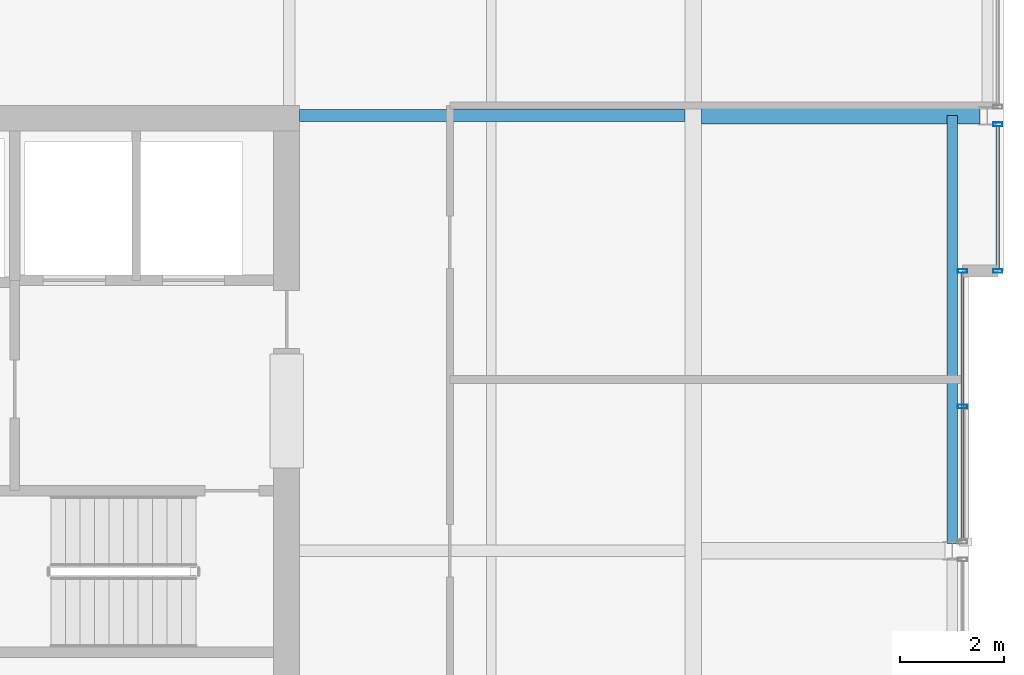
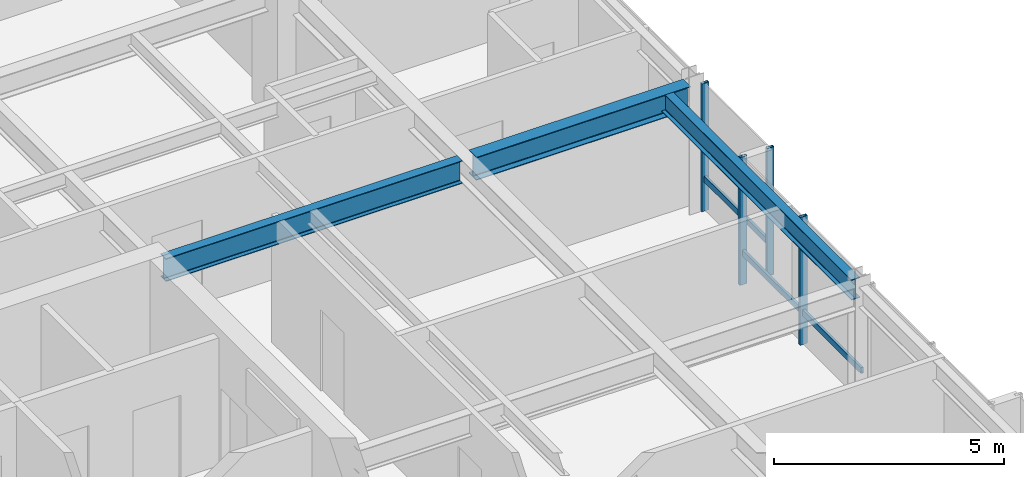
# One storey, part 19 of 34: 6 members, 3 beams, 2 elements without a shape of their own.
"""IFC4 building model written with IfcOpenShell, lengths in metres."""

import ifcopenshell
import ifcopenshell.guid

model = None  # the IFC model being written
_history = None  # IfcOwnerHistory: only IFC2X3 demands one
_inside = {}  # id of a spatial element -> (the spatial element, [elements in it])
_under = {}  # id of a project, library or spatial element -> (it, [spatial elements below it])
_declared = {}  # id of a project -> (the project, [libraries it declares])
_typed = {}  # id of a type object -> (the type object, [elements of that type])
_made_of = {}  # id of a material, layer set ... -> (it, [elements and type objects made of it])


def new_model(schema):
    """Start an empty IFC model of exactly this schema.

    Asked for "IFC4X3", IfcOpenShell would pick the latest addendum, in which some entities
    have other attributes; the version numbers below select the first issue.
    IFC2X3 requires an IfcOwnerHistory on every rooted entity: one is made here for all.
    """
    global model, _history
    if schema == "IFC4X3":
        model = ifcopenshell.file(schema_version=(4, 3, 0, 0))
    else:
        model = ifcopenshell.file(schema=schema)
    _inside.clear()
    _under.clear()
    _declared.clear()
    _typed.clear()
    _made_of.clear()
    _history = None
    if model.schema == "IFC2X3":
        org = make("IfcOrganization", Name="unknown")
        user = make(
            "IfcPersonAndOrganization",
            ThePerson=make("IfcPerson", FamilyName="unknown"),
            TheOrganization=org,
        )
        app = make(
            "IfcApplication",
            ApplicationDeveloper=org,
            Version="unknown",
            ApplicationFullName="unknown",
            ApplicationIdentifier="unknown",
        )
        _history = make(
            "IfcOwnerHistory",
            OwningUser=user,
            OwningApplication=app,
            ChangeAction="ADDED",
            CreationDate=0,
        )
    return model


def make(cls, **values):
    """One entity of the class cls with the attributes given. An attribute that is None is left unset."""
    return model.create_entity(
        cls, **{name: value for name, value in values.items() if value is not None}
    )


def rooted(cls, **values):
    """An entity with a GlobalId (a new one), such as an element, a storey or a relation."""
    return make(cls, GlobalId=ifcopenshell.guid.new(), OwnerHistory=_history, **values)


def si_unit(unit_type, name, prefix=None):
    """IfcSIUnit, for example si_unit("LENGTHUNIT", "METRE", prefix="MILLI")."""
    return make("IfcSIUnit", UnitType=unit_type, Prefix=prefix, Name=name)


def assignment(units):
    """IfcUnitAssignment: the units of a project."""
    return None if units is None else make("IfcUnitAssignment", Units=units)


def point(xyz):
    """IfcCartesianPoint."""
    return None if xyz is None else make("IfcCartesianPoint", Coordinates=xyz)


def direction(xyz):
    """IfcDirection."""
    return None if xyz is None else make("IfcDirection", DirectionRatios=xyz)


def frame(location, z_axis=None, x_axis=None):
    """IfcAxis2Placement3D, a coordinate frame: its origin and axes. An axis left out is left unset."""
    return make(
        "IfcAxis2Placement3D",
        Location=point(location),
        Axis=direction(z_axis),
        RefDirection=direction(x_axis),
    )


def frame_2d(location, x_axis=None):
    """IfcAxis2Placement2D, a coordinate frame in the plane: its origin and x axis."""
    return make(
        "IfcAxis2Placement2D", Location=point(location), RefDirection=direction(x_axis)
    )


def origin():
    """The frame at (0, 0, 0) with its axes left unset."""
    return frame((0.0, 0.0, 0.0))


def origin_2d():
    """The frame at (0, 0) in the plane with its x axis left unset."""
    return frame_2d((0.0, 0.0))


def place(relative_to, where):
    """IfcLocalPlacement: puts the frame where relative to a parent placement (None: the world)."""
    return make(
        "IfcLocalPlacement", PlacementRelTo=relative_to, RelativePlacement=where
    )


def context(
    kind, dimensions, precision=None, world=None, true_north=None, identifier=None
):
    """IfcGeometricRepresentationContext, for example the 3D "Model" context."""
    return make(
        "IfcGeometricRepresentationContext",
        ContextIdentifier=identifier,
        ContextType=kind,
        CoordinateSpaceDimension=dimensions,
        Precision=precision,
        WorldCoordinateSystem=world,
        TrueNorth=true_north,
    )


def subcontext(parent, identifier, kind, view, scale=None):
    """IfcGeometricRepresentationSubContext, for example "Body" below "Model"."""
    return make(
        "IfcGeometricRepresentationSubContext",
        ContextIdentifier=identifier,
        ContextType=kind,
        ParentContext=parent,
        TargetScale=scale,
        TargetView=view,
    )


def project(units=None, contexts=None):
    """IfcProject with its units and contexts."""
    return rooted(
        "IfcProject",
        Name="project",
        RepresentationContexts=contexts,
        UnitsInContext=assignment(units),
    )


def spatial(cls, under=None, at=None, **own):
    """A site, building, storey or space (cls), placed at a placement, below another one or the project."""
    s = rooted(cls, ObjectPlacement=at, **own)
    if under is not None:
        _under.setdefault(under.id(), (under, []))[1].append(s)
    return s


def profile(cls, at=None, kind="AREA", **sizes):
    """A parametric profile (cls). Its sizes go by their IFC names, for example OverallWidth=200.0."""
    return make(cls, ProfileType=kind, Position=at, **sizes)


def hollow_rectangle(**sizes):
    """IfcRectangleHollowProfileDef."""
    return profile("IfcRectangleHollowProfileDef", **sizes)


def i_section(**sizes):
    """IfcIShapeProfileDef."""
    return profile("IfcIShapeProfileDef", **sizes)


def extrude(swept, where, along, depth):
    """IfcExtrudedAreaSolid: the profile swept, set in the frame where, extruded along a direction by depth."""
    return make(
        "IfcExtrudedAreaSolid",
        SweptArea=swept,
        Position=where,
        ExtrudedDirection=direction(along),
        Depth=depth,
    )


def shape(context_of_items, identifier, shape_type, items):
    """IfcShapeRepresentation: the items that make up one representation, for example the "Body"."""
    return make(
        "IfcShapeRepresentation",
        ContextOfItems=context_of_items,
        RepresentationIdentifier=identifier,
        RepresentationType=shape_type,
        Items=items,
    )


def material(Name=None, Category=None):
    """IfcMaterial."""
    return make("IfcMaterial", Name=Name, Category=Category)


def layer(
    of_material, thickness, ventilated=None, Name=None, Category=None, Priority=None
):
    """IfcMaterialLayer: one layer of a wall or slab, of a material (None: an air gap)."""
    return make(
        "IfcMaterialLayer",
        Material=of_material,
        LayerThickness=thickness,
        IsVentilated=ventilated,
        Name=Name,
        Category=Category,
        Priority=Priority,
    )


def layer_set(layers, Name=None):
    """IfcMaterialLayerSet."""
    return make("IfcMaterialLayerSet", MaterialLayers=layers, LayerSetName=Name)


def material_profile(
    of_material, cross_section, Name=None, Category=None, Priority=None
):
    """IfcMaterialProfile: a cross section and its material."""
    return make(
        "IfcMaterialProfile",
        Name=Name,
        Material=of_material,
        Profile=cross_section,
        Priority=Priority,
        Category=Category,
    )


def profile_set(profiles, Name=None, composite=None):
    """IfcMaterialProfileSet."""
    return make(
        "IfcMaterialProfileSet",
        Name=Name,
        MaterialProfiles=profiles,
        CompositeProfile=composite,
    )


def made_of(thing, what):
    """Note that an element or type object is made of a material, layer set ...; save() writes the relation."""
    if what is not None:
        _made_of.setdefault(what.id(), (what, []))[1].append(thing)
    return thing


def type_object(cls, material=None, **own):
    """A type object (cls), such as IfcWallType, which elements share."""
    return made_of(rooted(cls, **own), material)


def element(
    cls,
    number,
    at=None,
    inside=None,
    cuts=None,
    type_object=None,
    material=None,
    context=None,
    identifier="Body",
    shape_type=None,
    held_by="IfcProductDefinitionShape",
    body=None,
    shapes=None,
    **own,
):
    """One element of the class cls, such as IfcWall. Its Tag is "e" and its number.

    at: its placement. inside: the storey or other place that contains it. cuts: it is an
    opening in that element (IfcRelVoidsElement). A single representation is given by context,
    identifier, shape_type and body (its items); several are given by shapes. held_by: the class
    of the entity that holds the representations. save() writes the other relations.
    """
    e = rooted(cls, Tag="e%d" % number, ObjectPlacement=at, **own)
    if body is not None:
        shapes = [shape(context, identifier, shape_type, body)]
    if shapes is not None:
        e.Representation = make(held_by, Representations=shapes)
    if inside is not None:
        _inside.setdefault(inside.id(), (inside, []))[1].append(e)
    if cuts is not None:
        rooted(
            "IfcRelVoidsElement", RelatingBuildingElement=cuts, RelatedOpeningElement=e
        )
    if type_object is not None:
        _typed.setdefault(type_object.id(), (type_object, []))[1].append(e)
    return made_of(e, material)


def aggregate(whole, parts):
    """IfcRelAggregates: a whole, such as a stair, and the parts it consists of."""
    return rooted("IfcRelAggregates", RelatingObject=whole, RelatedObjects=parts)


def save(model, path):
    """Write the relations noted so far, then the file.

    IfcRelAggregates (storeys below a building ...), IfcRelContainedInSpatialStructure (elements
    in a storey), IfcRelDefinesByType, IfcRelAssociatesMaterial and IfcRelDeclares: one each for
    every whole, place, type object, material and project.
    """
    for whole, parts in _under.values():
        aggregate(whole, parts)
    for where, things in _inside.values():
        rooted(
            "IfcRelContainedInSpatialStructure",
            RelatedElements=things,
            RelatingStructure=where,
        )
    for kind, things in _typed.values():
        rooted("IfcRelDefinesByType", RelatedObjects=things, RelatingType=kind)
    for what, things in _made_of.values():
        rooted("IfcRelAssociatesMaterial", RelatedObjects=things, RelatingMaterial=what)
    for by, libraries in _declared.values():
        rooted("IfcRelDeclares", RelatingContext=by, RelatedDefinitions=libraries)
    model.write(path)


model = new_model("IFC4")

# Units and contexts
model_context = context("Model", 3, precision=1e-05, world=origin(), true_north=direction((0.0, 1.0)))
body_context = subcontext(model_context, "Body", "Model", "MODEL_VIEW")
ifc_project = project(units=[si_unit("LENGTHUNIT", "METRE"), si_unit("AREAUNIT", "SQUARE_METRE"), si_unit("VOLUMEUNIT", "CUBIC_METRE"), si_unit("PLANEANGLEUNIT", "RADIAN"), si_unit("MASSUNIT", "GRAM", prefix="KILO")], contexts=[model_context])

# Site, building, storey
site_placement = place(None, origin())
site = spatial("IfcSite", under=ifc_project, at=site_placement, CompositionType="ELEMENT")
building_placement = place(site_placement, origin())
building = spatial("IfcBuilding", under=site, at=building_placement, Name="Drelvath Grand Hotel", CompositionType="ELEMENT")
storey_placement = place(building_placement, frame((0.0, 0.0, 286.89990234375)))
storey = spatial("IfcBuildingStorey", under=building, at=storey_placement, Name="L75", CompositionType="ELEMENT", Elevation=286.89990234375)

# Curtain wall, member
ifc_material_1 = material(Name="Platinum-Mist Anodised Aluminium Frame", Category="aluminium")
ifc_layer = layer(ifc_material_1, 0.199951171875)
ifc_layer_set = layer_set([ifc_layer], Name="Platinum-Mist Anodised Aluminium Frame")
curtain_wall_type = type_object("IfcCurtainWallType", Name="Stick Curtain Wall CW-05 Platinum Mist High-Rise", PredefinedType="NOTDEFINED", material=ifc_layer_set)
curtain_wall_1_placement = place(storey_placement, origin())
curtain_wall_1 = element("IfcCurtainWall", 1, at=curtain_wall_1_placement, inside=storey, type_object=curtain_wall_type, Name="L75 CW-05 Curtain Wall CW05-L75-EN1", PredefinedType="NOTDEFINED")
ifc_material_profile_1 = material_profile(ifc_material_1, hollow_rectangle(XDim=0.06494140625, YDim=0.159912109375, WallThickness=0.00390625, at=origin_2d()), Name="HSS160X65X4")
ifc_profile_set_1 = profile_set([ifc_material_profile_1], Name="Platinum-Mist Anodised Aluminium Frame")
member_type_1 = type_object("IfcMemberType", Name="Curtain Wall Horizontal Transom CW-05 HSS160X65X4", PredefinedType="USERDEFINED", material=ifc_profile_set_1)
member_1_placement = place(storey_placement, frame((22.080078125, 35.18994140625, 0.84765625), z_axis=(0.0, -1.0, 0.0), x_axis=(1.0, 0.0, 0.0)))
member_1 = element("IfcMember", 2, at=member_1_placement, type_object=member_type_1, Name="CW05-L75-EN1 Sill Transom", ObjectType="TRANSOM", PredefinedType="USERDEFINED", context=body_context, shape_type="SweptSolid", body=[
    extrude(hollow_rectangle(XDim=0.06494140625, YDim=0.159912109375, WallThickness=0.00390625, at=origin_2d()), origin(), (0.0, 0.0, 1.0), 2.75),
])

curtain_wall_2_placement = place(storey_placement, origin())
curtain_wall_2 = element("IfcCurtainWall", 3, at=curtain_wall_2_placement, inside=storey, type_object=curtain_wall_type, Name="L75 CW-05 Curtain Wall CW05-L75-EM2", PredefinedType="NOTDEFINED")
member_2_placement = place(storey_placement, frame((21.39990234375, 32.360107421875, 0.84765625), z_axis=(0.0, -1.0, 0.0), x_axis=(1.0, 0.0, 0.0)))
member_2 = element("IfcMember", 4, at=member_2_placement, type_object=member_type_1, Name="CW05-L75-EM2 Sill Transom", ObjectType="TRANSOM", PredefinedType="USERDEFINED", context=body_context, shape_type="SweptSolid", body=[
    extrude(hollow_rectangle(XDim=0.06494140625, YDim=0.159912109375, WallThickness=0.00390625, at=origin_2d()), origin(), (0.0, 0.0, 1.0), 5.150146484375),
])

# Member
ifc_material_profile_2 = material_profile(ifc_material_1, hollow_rectangle(XDim=0.074951171875, YDim=0.179931640625, WallThickness=0.0048828125, at=origin_2d()), Name="HSS180X75X5")
ifc_profile_set_2 = profile_set([ifc_material_profile_2], Name="Platinum-Mist Anodised Aluminium Frame")
member_type_2 = type_object("IfcMemberType", Name="Curtain Wall Vertical Mullion CW-05 HSS180X75X5", PredefinedType="MULLION", material=ifc_profile_set_2)
member_3_placement = place(storey_placement, frame((22.080078125, 35.22998046875, 0.0), z_axis=(0.0, 0.0, 1.0), x_axis=(0.0, 1.0, 0.0)))
member_3 = element("IfcMember", 5, at=member_3_placement, type_object=member_type_2, Name="CW05-L75-EN1 Mullion 1", PredefinedType="MULLION", context=body_context, shape_type="SweptSolid", body=[
    extrude(hollow_rectangle(XDim=0.074951171875, YDim=0.179931640625, WallThickness=0.0048828125, at=origin_2d()), origin(), (0.0, 0.0, 1.0), 3.39013671875),
])

member_4_placement = place(storey_placement, frame((22.080078125, 32.39990234375, 0.0), z_axis=(0.0, 0.0, 1.0), x_axis=(0.0, 1.0, 0.0)))
member_4 = element("IfcMember", 6, at=member_4_placement, type_object=member_type_2, Name="CW05-L75-EN1 Mullion 2", PredefinedType="MULLION", context=body_context, shape_type="SweptSolid", body=[
    extrude(hollow_rectangle(XDim=0.074951171875, YDim=0.179931640625, WallThickness=0.0048828125, at=origin_2d()), origin(), (0.0, 0.0, 1.0), 3.39013671875),
])

aggregate(curtain_wall_1, [member_3, member_4, member_1])

member_5_placement = place(storey_placement, frame((21.39990234375, 32.39990234375, 0.0), z_axis=(0.0, 0.0, 1.0), x_axis=(0.0, 1.0, 0.0)))
member_5 = element("IfcMember", 7, at=member_5_placement, type_object=member_type_2, Name="CW05-L75-EM2 Mullion 1", PredefinedType="MULLION", context=body_context, shape_type="SweptSolid", body=[
    extrude(hollow_rectangle(XDim=0.074951171875, YDim=0.179931640625, WallThickness=0.0048828125, at=origin_2d()), origin(), (0.0, 0.0, 1.0), 3.39013671875),
])

member_6_placement = place(storey_placement, frame((21.39990234375, 29.784912109375, 0.0), z_axis=(0.0, 0.0, 1.0), x_axis=(0.0, 1.0, 0.0)))
member_6 = element("IfcMember", 8, at=member_6_placement, type_object=member_type_2, Name="CW05-L75-EM2 Mullion 2", PredefinedType="MULLION", context=body_context, shape_type="SweptSolid", body=[
    extrude(hollow_rectangle(XDim=0.074951171875, YDim=0.179931640625, WallThickness=0.0048828125, at=origin_2d()), origin(), (0.0, 0.0, 1.0), 3.39013671875),
])

aggregate(curtain_wall_2, [member_5, member_6, member_2])

# Beams
ifc_material_2 = material(Name="Steel ASTM A992 Gr 50", Category="steel")
ifc_material_profile_3 = material_profile(ifc_material_2, i_section(OverallWidth=0.210205078125, OverallDepth=0.53662109375, WebThickness=0.010986328125, FlangeThickness=0.017333984375, FilletRadius=0.01806640625, at=origin_2d()), Name="W21X68")
ifc_profile_set_3 = profile_set([ifc_material_profile_3], Name="Steel ASTM A992 Gr 50")
beam_type_1 = type_object("IfcBeamType", Name="Perimeter Spandrel Beam W21X68", PredefinedType="SPANDREL", material=ifc_profile_set_3)
beam_1_placement = place(storey_placement, frame((21.199951171875, 27.139892578125, 3.121826171875), z_axis=(0.0, 1.0, 0.0), x_axis=(-1.0, 0.0, 0.0)))
element("IfcBeam", 9, at=beam_1_placement, inside=storey, type_object=beam_type_1, Name="L75 Spandrel East Mid N", PredefinedType="SPANDREL", context=body_context, shape_type="SweptSolid", body=[
    extrude(i_section(OverallWidth=0.210205078125, OverallDepth=0.53662109375, WebThickness=0.010986328125, FlangeThickness=0.017333984375, FilletRadius=0.01806640625, at=origin_2d()), origin(), (0.0, 0.0, 1.0), 8.260009765625),
])
ifc_material_profile_4 = material_profile(ifc_material_2, i_section(OverallWidth=0.323974609375, OverallDepth=0.611083984375, WebThickness=0.0126953125, FlangeThickness=0.01904296875, FilletRadius=0.02197265625, at=origin_2d()), Name="W24X104")
ifc_profile_set_4 = profile_set([ifc_material_profile_4], Name="Steel ASTM A992 Gr 50")
beam_type_2 = type_object("IfcBeamType", Name="Primary Floor Girder W24X104", PredefinedType="BEAM", material=ifc_profile_set_4)
beam_2_placement = place(storey_placement, frame((16.362060546875, 35.39990234375, 3.084716796875), z_axis=(1.0, 0.0, 0.0), x_axis=(0.0, 1.0, 0.0)))
element("IfcBeam", 10, at=beam_2_placement, inside=storey, type_object=beam_type_2, Name="L75 East Wing Girder F", PredefinedType="BEAM", context=body_context, shape_type="SweptSolid", body=[
    extrude(i_section(OverallWidth=0.323974609375, OverallDepth=0.611083984375, WebThickness=0.0126953125, FlangeThickness=0.01904296875, FilletRadius=0.02197265625, at=origin_2d()), origin(), (0.0, 0.0, 1.0), 5.3779296875),
])
ifc_material_profile_5 = material_profile(ifc_material_2, i_section(OverallWidth=0.228271484375, OverallDepth=0.607666015625, WebThickness=0.01123046875, FlangeThickness=0.017333984375, FilletRadius=0.02001953125, at=origin_2d()), Name="W24X76")
ifc_profile_set_5 = profile_set([ifc_material_profile_5], Name="Steel ASTM A992 Gr 50")
beam_type_3 = type_object("IfcBeamType", Name="Primary Floor Girder W24X76", PredefinedType="BEAM", material=ifc_profile_set_5)
beam_3_placement = place(storey_placement, frame((8.60009765625, 35.39990234375, 3.086181640625), z_axis=(1.0, 0.0, 0.0), x_axis=(0.0, 1.0, 0.0)))
element("IfcBeam", 11, at=beam_3_placement, inside=storey, type_object=beam_type_3, Name="L75 East Core Tie F", PredefinedType="BEAM", context=body_context, shape_type="SweptSolid", body=[
    extrude(i_section(OverallWidth=0.228271484375, OverallDepth=0.607666015625, WebThickness=0.01123046875, FlangeThickness=0.017333984375, FilletRadius=0.02001953125, at=origin_2d()), origin(), (0.0, 0.0, 1.0), 7.43798828125),
])

save(model, "model.ifc")
